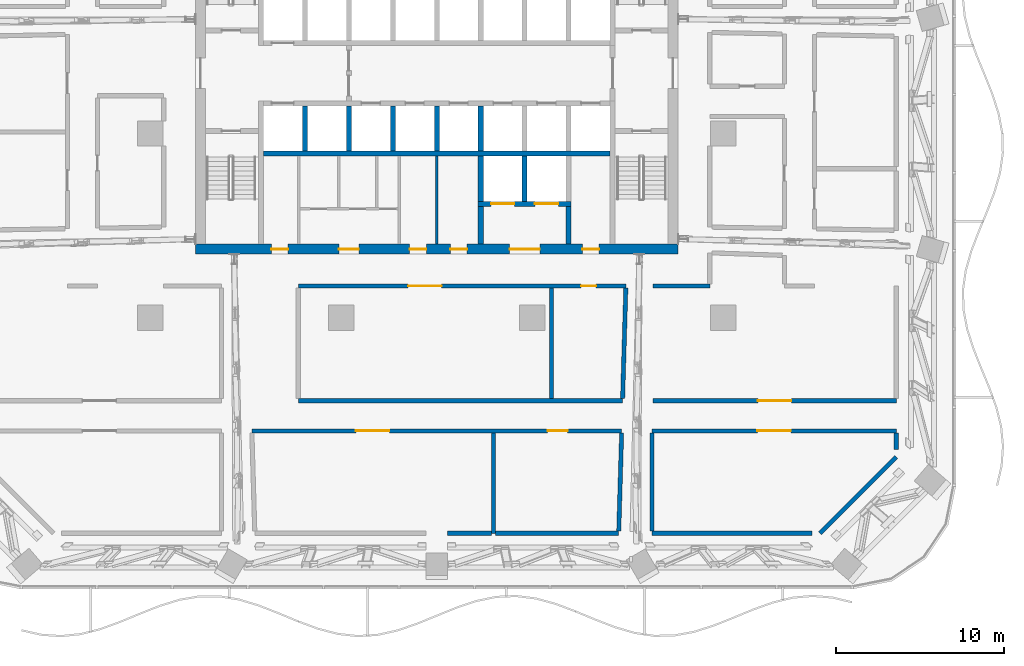
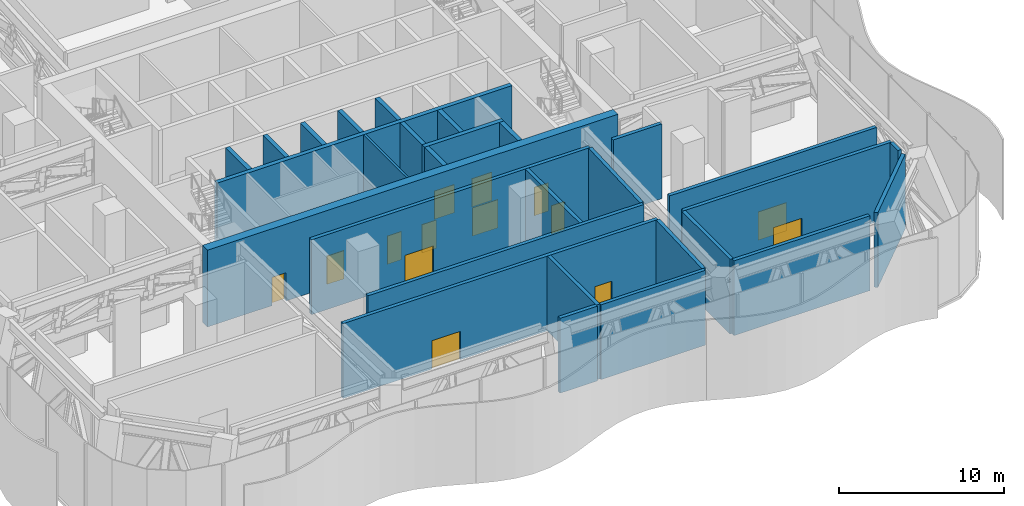
# One storey, part 11 of 32: 29 walls, 14 doors, 14 openings.
"""IFC4 building model written with IfcOpenShell, lengths in metres."""

from ifc_helpers import new_model, si_unit, direction, frame, frame_2d, origin, place, context, subcontext, project, spatial, rectangle, extrude, material, layer, layer_set, type_object, element, fill, save


model = new_model("IFC4")

# Units and contexts
model_context = context("Model", 3, precision=1e-05, world=origin(), true_north=direction((0.0, 1.0)))
body_context = subcontext(model_context, "Body", "Model", "MODEL_VIEW")
ifc_project = project(units=[si_unit("LENGTHUNIT", "METRE"), si_unit("AREAUNIT", "SQUARE_METRE"), si_unit("VOLUMEUNIT", "CUBIC_METRE"), si_unit("PLANEANGLEUNIT", "RADIAN"), si_unit("MASSUNIT", "GRAM", prefix="KILO")], contexts=[model_context])

# Site, building, storey
site_placement = place(None, origin())
site = spatial("IfcSite", under=ifc_project, at=site_placement, CompositionType="ELEMENT")
building_placement = place(site_placement, origin())
building = spatial("IfcBuilding", under=site, at=building_placement, Name="Mopane Tessera Tower", CompositionType="ELEMENT")
storey_placement = place(building_placement, frame((0.0, 0.0, 88.60009765625)))
storey = spatial("IfcBuildingStorey", under=building, at=storey_placement, Name="L17", CompositionType="ELEMENT", Elevation=88.60009765625)

# Wall
ifc_material_1 = material(Name="Fire-rated gypsum board partition")
ifc_layer_1 = layer(ifc_material_1, 0.14990234375)
ifc_layer_set_1 = layer_set([ifc_layer_1], Name="Fire-rated gypsum board partition")
wall_type_1 = type_object("IfcWallType", Name="Core room partition 150 mm", PredefinedType="PARTITIONING", material=ifc_layer_set_1)
wall_1_placement = place(storey_placement, frame((0.0, -6.60009765625, 0.0), z_axis=(0.0, 0.0, 1.0), x_axis=(0.0, 1.0, 0.0)))
element("IfcWall", 1, at=wall_1_placement, inside=storey, type_object=wall_type_1, Name="L17 Room partition", PredefinedType="PARTITIONING", context=body_context, shape_type="SweptSolid", body=[
    extrude(rectangle(XDim=5.25, YDim=0.14990234375, at=frame_2d((2.625, 0.0))), origin(), (0.0, 0.0, 1.0), 5.699951171875),
])

# Wall, openings, doors
ifc_material_2 = material(Name="Concrete C70/85", Category="concrete")
ifc_layer_2 = layer(ifc_material_2, 0.60009765625)
ifc_layer_set_2 = layer_set([ifc_layer_2], Name="Concrete C70/85")
wall_type_2 = type_object("IfcWallType", Name="Core shear wall 600 mm", PredefinedType="SHEAR", material=ifc_layer_set_2)
wall_2_placement = place(storey_placement, frame((-14.39990234375, -6.89990234375, 0.0), z_axis=(0.0, 0.0, 1.0), x_axis=(1.0, 0.0, 0.0)))
wall_2 = element("IfcWall", 2, at=wall_2_placement, inside=storey, type_object=wall_type_2, Name="L17 Core wall south", PredefinedType="SHEAR", context=body_context, shape_type="SweptSolid", body=[
    extrude(rectangle(XDim=28.7998046875, YDim=0.60009765625, at=frame_2d((14.39990234375, 0.0))), origin(), (0.0, 0.0, 1.0), 5.699951171875),
])
opening_1_placement = place(wall_2_placement, frame((4.52490234375, 0.0, 0.0)))
opening_1 = element("IfcOpeningElement", 3, at=opening_1_placement, cuts=wall_2, Name="Opening RD1", PredefinedType="OPENING", context=body_context, shape_type="SweptSolid", body=[
    extrude(rectangle(XDim=1.0, YDim=2.10009765625, at=frame_2d((0.5, 1.050048828125))), frame((0.0, 0.31201171875, 0.0), z_axis=(0.0, -1.0, 0.0), x_axis=(1.0, 0.0, 0.0)), (0.0, 0.0, 1.0), 0.6240234375),
])
opening_2_placement = place(wall_2_placement, frame((8.550048828125, 0.0, 0.0)))
opening_2 = element("IfcOpeningElement", 4, at=opening_2_placement, cuts=wall_2, Name="Opening WD3", PredefinedType="OPENING", context=body_context, shape_type="SweptSolid", body=[
    extrude(rectangle(XDim=1.199951171875, YDim=2.10009765625, at=frame_2d((0.60009765625, 1.050048828125))), frame((0.0, 0.31201171875, 0.0), z_axis=(0.0, -1.0, 0.0), x_axis=(1.0, 0.0, 0.0)), (0.0, 0.0, 1.0), 0.6240234375),
])
opening_3_placement = place(wall_2_placement, frame((12.77490234375, 0.0, 0.0)))
opening_3 = element("IfcOpeningElement", 5, at=opening_3_placement, cuts=wall_2, Name="Opening RD1", PredefinedType="OPENING", context=body_context, shape_type="SweptSolid", body=[
    extrude(rectangle(XDim=1.0, YDim=2.10009765625, at=frame_2d((0.5, 1.050048828125))), frame((0.0, 0.31201171875, 0.0), z_axis=(0.0, -1.0, 0.0), x_axis=(1.0, 0.0, 0.0)), (0.0, 0.0, 1.0), 0.6240234375),
])
opening_4_placement = place(wall_2_placement, frame((15.21240234375, 0.0, 0.0)))
opening_4 = element("IfcOpeningElement", 6, at=opening_4_placement, cuts=wall_2, Name="Opening RD1", PredefinedType="OPENING", context=body_context, shape_type="SweptSolid", body=[
    extrude(rectangle(XDim=1.0, YDim=2.10009765625, at=frame_2d((0.5, 1.050048828125))), frame((0.0, 0.31201171875, 0.0), z_axis=(0.0, -1.0, 0.0), x_axis=(1.0, 0.0, 0.0)), (0.0, 0.0, 1.0), 0.6240234375),
])
opening_5_placement = place(wall_2_placement, frame((18.75, 0.0, 0.0)))
opening_5 = element("IfcOpeningElement", 7, at=opening_5_placement, cuts=wall_2, Name="Opening SD2", PredefinedType="OPENING", context=body_context, shape_type="SweptSolid", body=[
    extrude(rectangle(XDim=1.800048828125, YDim=2.10009765625, at=frame_2d((0.89990234375, 1.050048828125))), frame((0.0, 0.31201171875, 0.0), z_axis=(0.0, -1.0, 0.0), x_axis=(1.0, 0.0, 0.0)), (0.0, 0.0, 1.0), 0.6240234375),
])
opening_6_placement = place(wall_2_placement, frame((23.08740234375, 0.0, 0.0)))
opening_6 = element("IfcOpeningElement", 8, at=opening_6_placement, cuts=wall_2, Name="Opening RD1", PredefinedType="OPENING", context=body_context, shape_type="SweptSolid", body=[
    extrude(rectangle(XDim=1.0, YDim=2.10009765625, at=frame_2d((0.5, 1.050048828125))), frame((0.0, 0.31201171875, 0.0), z_axis=(0.0, -1.0, 0.0), x_axis=(1.0, 0.0, 0.0)), (0.0, 0.0, 1.0), 0.6240234375),
])
ifc_material_3 = material(Name="Steel fire door", Category="steel")
door_type_1 = type_object("IfcDoorType", Name="Core entrance double door 1800 x 2100", OperationType="DOUBLE_DOOR_SINGLE_SWING", PredefinedType="DOOR", material=ifc_material_3)
door_1_placement = place(opening_5_placement, origin())
door_1 = element("IfcDoor", 9, at=door_1_placement, inside=storey, type_object=door_type_1, Name="L17 Service lobby door", OperationType="DOUBLE_DOOR_SINGLE_SWING", OverallHeight=2.10009765625, OverallWidth=1.800048828125, PredefinedType="DOOR", context=body_context, shape_type="SweptSolid", body=[
    extrude(rectangle(XDim=1.800048828125, YDim=2.10009765625, at=frame_2d((0.89990234375, 1.050048828125))), frame((0.0, 0.02490234375, 0.0), z_axis=(0.0, -1.0, 0.0), x_axis=(1.0, 0.0, 0.0)), (0.0, 0.0, 1.0), 0.050048828125),
])
fill(opening_5, door_1)
ifc_material_4 = material(Name="Timber door", Category="wood")
door_type_2 = type_object("IfcDoorType", Name="Core room door 1000 x 2100", OperationType="SINGLE_SWING_LEFT", PredefinedType="DOOR", material=ifc_material_4)
door_2_placement = place(opening_1_placement, origin())
door_2 = element("IfcDoor", 10, at=door_2_placement, inside=storey, type_object=door_type_2, Name="L17 Room door", OperationType="SINGLE_SWING_LEFT", OverallHeight=2.10009765625, OverallWidth=1.0, PredefinedType="DOOR", context=body_context, shape_type="SweptSolid", body=[
    extrude(rectangle(XDim=1.0, YDim=2.10009765625, at=frame_2d((0.5, 1.050048828125))), frame((0.0, 0.02490234375, 0.0), z_axis=(0.0, -1.0, 0.0), x_axis=(1.0, 0.0, 0.0)), (0.0, 0.0, 1.0), 0.050048828125),
])
fill(opening_1, door_2)
door_3_placement = place(opening_3_placement, origin())
door_3 = element("IfcDoor", 11, at=door_3_placement, inside=storey, type_object=door_type_2, Name="L17 Room door", OperationType="SINGLE_SWING_LEFT", OverallHeight=2.10009765625, OverallWidth=1.0, PredefinedType="DOOR", context=body_context, shape_type="SweptSolid", body=[
    extrude(rectangle(XDim=1.0, YDim=2.10009765625, at=frame_2d((0.5, 1.050048828125))), frame((0.0, 0.02490234375, 0.0), z_axis=(0.0, -1.0, 0.0), x_axis=(1.0, 0.0, 0.0)), (0.0, 0.0, 1.0), 0.050048828125),
])
fill(opening_3, door_3)
door_4_placement = place(opening_4_placement, origin())
door_4 = element("IfcDoor", 12, at=door_4_placement, inside=storey, type_object=door_type_2, Name="L17 Room door", OperationType="SINGLE_SWING_LEFT", OverallHeight=2.10009765625, OverallWidth=1.0, PredefinedType="DOOR", context=body_context, shape_type="SweptSolid", body=[
    extrude(rectangle(XDim=1.0, YDim=2.10009765625, at=frame_2d((0.5, 1.050048828125))), frame((0.0, 0.02490234375, 0.0), z_axis=(0.0, -1.0, 0.0), x_axis=(1.0, 0.0, 0.0)), (0.0, 0.0, 1.0), 0.050048828125),
])
fill(opening_4, door_4)
door_5_placement = place(opening_6_placement, origin())
door_5 = element("IfcDoor", 13, at=door_5_placement, inside=storey, type_object=door_type_2, Name="L17 Room door", OperationType="SINGLE_SWING_LEFT", OverallHeight=2.10009765625, OverallWidth=1.0, PredefinedType="DOOR", context=body_context, shape_type="SweptSolid", body=[
    extrude(rectangle(XDim=1.0, YDim=2.10009765625, at=frame_2d((0.5, 1.050048828125))), frame((0.0, 0.02490234375, 0.0), z_axis=(0.0, -1.0, 0.0), x_axis=(1.0, 0.0, 0.0)), (0.0, 0.0, 1.0), 0.050048828125),
])
fill(opening_6, door_5)
ifc_material_5 = material(Name="Timber door", Category="wood")
door_type_3 = type_object("IfcDoorType", Name="WC lobby door 1200 x 2100", OperationType="SINGLE_SWING_LEFT", PredefinedType="DOOR", material=ifc_material_5)
door_6_placement = place(opening_2_placement, origin())
door_6 = element("IfcDoor", 14, at=door_6_placement, inside=storey, type_object=door_type_3, Name="L17 WC lobby door", OperationType="SINGLE_SWING_LEFT", OverallHeight=2.10009765625, OverallWidth=1.199951171875, PredefinedType="DOOR", context=body_context, shape_type="SweptSolid", body=[
    extrude(rectangle(XDim=1.199951171875, YDim=2.10009765625, at=frame_2d((0.60009765625, 1.050048828125))), frame((0.0, 0.02490234375, 0.0), z_axis=(0.0, -1.0, 0.0), x_axis=(1.0, 0.0, 0.0)), (0.0, 0.0, 1.0), 0.050048828125),
])
fill(opening_2, door_6)

# Walls
ifc_material_6 = material(Name="Concrete C50/60", Category="concrete")
ifc_layer_3 = layer(ifc_material_6, 0.300048828125)
ifc_layer_set_3 = layer_set([ifc_layer_3], Name="Concrete C50/60")
wall_type_3 = type_object("IfcWallType", Name="Lift and stair shaft wall 300 mm", PredefinedType="SOLIDWALL", material=ifc_layer_set_3)
wall_3_placement = place(storey_placement, frame((-10.35009765625, -1.199951171875, 0.0), z_axis=(0.0, 0.0, 1.0), x_axis=(1.0, 0.0, 0.0)))
element("IfcWall", 15, at=wall_3_placement, inside=storey, type_object=wall_type_3, Name="L17 Lift shaft rear wall", PredefinedType="SOLIDWALL", context=body_context, shape_type="SweptSolid", body=[
    extrude(rectangle(XDim=20.7001953125, YDim=0.300048828125, at=frame_2d((10.35009765625, 0.0))), origin(), (0.0, 0.0, 1.0), 5.699951171875),
])
for number, where, z_axis, x_axis, name in (
    (16, (-7.875, -1.050048828125, 0.0), (0.0, 0.0, 1.0), (0.0, 1.0, 0.0), "L17 Lift shaft wall"),
    (17, (-5.25, -1.050048828125, 0.0), (0.0, 0.0, 1.0), (0.0, 1.0, 0.0), "L17 Lift shaft wall"),
    (18, (-2.625, -1.050048828125, 0.0), (0.0, 0.0, 1.0), (0.0, 1.0, 0.0), "L17 Lift shaft wall"),
    (19, (0.0, -1.050048828125, 0.0), (0.0, 0.0, 1.0), (0.0, 1.0, 0.0), "L17 Lift shaft wall"),
    (20, (2.625, -1.050048828125, 0.0), (0.0, 0.0, 1.0), (0.0, 1.0, 0.0), "L17 Lift shaft wall"),
):
    element("IfcWall", number, at=place(storey_placement, frame(where, z_axis=z_axis, x_axis=x_axis)), inside=storey, type_object=wall_type_3, Name=name, PredefinedType="SOLIDWALL", context=body_context, shape_type="SweptSolid", body=[
        extrude(rectangle(XDim=2.699951171875, YDim=0.300048828125, at=frame_2d((1.35009765625, 0.0))), origin(), (0.0, 0.0, 1.0), 5.699951171875),
    ])

# Wall, openings, doors
wall_4_placement = place(storey_placement, frame((2.47509765625, -4.199951171875, 0.0), z_axis=(0.0, 0.0, 1.0), x_axis=(1.0, 0.0, 0.0)))
wall_4 = element("IfcWall", 21, at=wall_4_placement, inside=storey, type_object=wall_type_3, Name="L17 Lift shaft front wall", PredefinedType="SOLIDWALL", context=body_context, shape_type="SweptSolid", body=[
    extrude(rectangle(XDim=5.5498046875, YDim=0.300048828125, at=frame_2d((2.77490234375, 0.0))), origin(), (0.0, 0.0, 1.0), 5.699951171875),
])
opening_7_placement = place(wall_4_placement, frame((0.762451171875, 0.0, 0.0)))
opening_7 = element("IfcOpeningElement", 22, at=opening_7_placement, cuts=wall_4, Name="Opening LD3", PredefinedType="OPENING", context=body_context, shape_type="SweptSolid", body=[
    extrude(rectangle(XDim=1.39990234375, YDim=2.10009765625, at=frame_2d((0.699951171875, 1.050048828125))), frame((0.0, 0.162109375, 0.0), z_axis=(0.0, -1.0, 0.0), x_axis=(1.0, 0.0, 0.0)), (0.0, 0.0, 1.0), 0.323974609375),
])
opening_8_placement = place(wall_4_placement, frame((3.387451171875, 0.0, 0.0)))
opening_8 = element("IfcOpeningElement", 23, at=opening_8_placement, cuts=wall_4, Name="Opening LD3", PredefinedType="OPENING", context=body_context, shape_type="SweptSolid", body=[
    extrude(rectangle(XDim=1.39990234375, YDim=2.10009765625, at=frame_2d((0.699951171875, 1.050048828125))), frame((0.0, 0.162109375, 0.0), z_axis=(0.0, -1.0, 0.0), x_axis=(1.0, 0.0, 0.0)), (0.0, 0.0, 1.0), 0.323974609375),
])
ifc_material_7 = material(Name="Stainless steel sliding door", Category="steel")
door_type_4 = type_object("IfcDoorType", Name="Service lift landing door 1400 x 2100", OperationType="DOUBLE_DOOR_SLIDING", PredefinedType="DOOR", material=ifc_material_7)
door_7_placement = place(opening_7_placement, origin())
door_7 = element("IfcDoor", 24, at=door_7_placement, inside=storey, type_object=door_type_4, Name="L17 Lift landing door SV1", OperationType="DOUBLE_DOOR_SLIDING", OverallHeight=2.10009765625, OverallWidth=1.39990234375, PredefinedType="DOOR", context=body_context, shape_type="SweptSolid", body=[
    extrude(rectangle(XDim=1.39990234375, YDim=2.10009765625, at=frame_2d((0.699951171875, 1.050048828125))), frame((0.0, 0.02490234375, 0.0), z_axis=(0.0, -1.0, 0.0), x_axis=(1.0, 0.0, 0.0)), (0.0, 0.0, 1.0), 0.050048828125),
])
fill(opening_7, door_7)
door_8_placement = place(opening_8_placement, origin())
door_8 = element("IfcDoor", 25, at=door_8_placement, inside=storey, type_object=door_type_4, Name="L17 Lift landing door SV2", OperationType="DOUBLE_DOOR_SLIDING", OverallHeight=2.10009765625, OverallWidth=1.39990234375, PredefinedType="DOOR", context=body_context, shape_type="SweptSolid", body=[
    extrude(rectangle(XDim=1.39990234375, YDim=2.10009765625, at=frame_2d((0.699951171875, 1.050048828125))), frame((0.0, 0.02490234375, 0.0), z_axis=(0.0, -1.0, 0.0), x_axis=(1.0, 0.0, 0.0)), (0.0, 0.0, 1.0), 0.050048828125),
])
fill(opening_8, door_8)

# Walls
for number, where, z_axis, x_axis, name in (
    (26, (2.625, -4.050048828125, 0.0), (0.0, 0.0, 1.0), (0.0, 1.0, 0.0), "L17 Lift shaft wall"),
    (27, (5.25, -4.050048828125, 0.0), (0.0, 0.0, 1.0), (0.0, 1.0, 0.0), "L17 Lift shaft wall"),
):
    element("IfcWall", number, at=place(storey_placement, frame(where, z_axis=z_axis, x_axis=x_axis)), inside=storey, type_object=wall_type_3, Name=name, PredefinedType="SOLIDWALL", context=body_context, shape_type="SweptSolid", body=[
        extrude(rectangle(XDim=2.699951171875, YDim=0.300048828125, at=frame_2d((1.35009765625, 0.0))), origin(), (0.0, 0.0, 1.0), 5.699951171875),
    ])
ifc_material_8 = material(Name="Concrete C50/60", Category="concrete")
ifc_layer_4 = layer(ifc_material_8, 0.300048828125)
ifc_layer_set_4 = layer_set([ifc_layer_4], Name="Concrete C50/60")
wall_type_4 = type_object("IfcWallType", Name="Lobby and refuge room wall 300 mm", PredefinedType="SOLIDWALL", material=ifc_layer_set_4)
for number, where, z_axis, x_axis, name in (
    (28, (2.625, -6.60009765625, 0.0), (0.0, 0.0, 1.0), (0.0, 1.0, 0.0), "L17 Service lobby wall"),
    (29, (7.875, -6.60009765625, 0.0), (0.0, 0.0, 1.0), (0.0, 1.0, 0.0), "L17 Service lobby wall"),
):
    element("IfcWall", number, at=place(storey_placement, frame(where, z_axis=z_axis, x_axis=x_axis)), inside=storey, type_object=wall_type_4, Name=name, PredefinedType="SOLIDWALL", context=body_context, shape_type="SweptSolid", body=[
        extrude(rectangle(XDim=2.25, YDim=0.300048828125, at=frame_2d((1.125, 0.0))), origin(), (0.0, 0.0, 1.0), 5.699951171875),
    ])
ifc_material_9 = material(Name="Plastered concrete blockwork C20/25", Category="masonry")
ifc_layer_5 = layer(ifc_material_9, 0.25)
ifc_layer_set_5 = layer_set([ifc_layer_5], Name="Plastered concrete blockwork C20/25")
wall_type_5 = type_object("IfcWallType", Name="Plastered blockwork wall 250, rated EI 120", PredefinedType="PARTITIONING", material=ifc_layer_set_5)
wall_5_placement = place(storey_placement, frame((0.64990234375, -23.860107421875, 0.0), z_axis=(0.0, 0.0, 1.0), x_axis=(1.0, 0.0, 0.0)))
element("IfcWall", 30, at=wall_5_placement, inside=storey, type_object=wall_type_5, Name="Partition L17:002", PredefinedType="PARTITIONING", context=body_context, shape_type="SweptSolid", body=[
    extrude(rectangle(XDim=2.6201171875, YDim=0.25, at=frame_2d((1.31005859375, 0.0))), origin(), (0.0, 0.0, 1.0), 5.5498046875),
])
wall_6_placement = place(storey_placement, frame((3.52001953125, -23.860107421875, 0.0), z_axis=(0.0, 0.0, 1.0), x_axis=(1.0, 0.0, 0.0)))
element("IfcWall", 31, at=wall_6_placement, inside=storey, type_object=wall_type_5, Name="Partition L17:003", PredefinedType="PARTITIONING", context=body_context, shape_type="SweptSolid", body=[
    extrude(rectangle(XDim=7.340087890625, YDim=0.25, at=frame_2d((3.669921875, 0.0))), origin(), (0.0, 0.0, 1.0), 5.5498046875),
])
wall_7_placement = place(storey_placement, frame((12.844970703125, -23.860107421875, 0.0), z_axis=(0.0, 0.0, 1.0), x_axis=(1.0, 0.0, 0.0)))
element("IfcWall", 32, at=wall_7_placement, inside=storey, type_object=wall_type_5, Name="Partition L17:004", PredefinedType="PARTITIONING", context=body_context, shape_type="SweptSolid", body=[
    extrude(rectangle(XDim=9.554931640625, YDim=0.25, at=frame_2d((4.77734375, 0.0))), origin(), (0.0, 0.0, 1.0), 5.5498046875),
])

# Wall, openings, doors
wall_8_placement = place(storey_placement, frame((-11.0400390625, -17.75, 0.0), z_axis=(0.0, 0.0, 1.0), x_axis=(1.0, 0.0, 0.0)))
wall_8 = element("IfcWall", 33, at=wall_8_placement, inside=storey, type_object=wall_type_5, Name="Partition L17:006", PredefinedType="PARTITIONING", context=body_context, shape_type="SweptSolid", body=[
    extrude(rectangle(XDim=22.080078125, YDim=0.25, at=frame_2d((11.0400390625, 0.0))), origin(), (0.0, 0.0, 1.0), 5.5498046875),
])
opening_9_placement = place(wall_8_placement, frame((17.657470703125, 0.0, 0.0)))
opening_9 = element("IfcOpeningElement", 34, at=opening_9_placement, cuts=wall_8, Name="Opening L17-03", PredefinedType="OPENING", context=body_context, shape_type="SweptSolid", body=[
    extrude(rectangle(XDim=1.199951171875, YDim=2.10009765625, at=frame_2d((0.60009765625, 1.050048828125))), frame((0.0, 0.136962890625, 0.0), z_axis=(0.0, -1.0, 0.0), x_axis=(1.0, 0.0, 0.0)), (0.0, 0.0, 1.0), 0.27392578125),
])
opening_10_placement = place(wall_8_placement, frame((6.217529296875, 0.0, 0.0)))
opening_10 = element("IfcOpeningElement", 35, at=opening_10_placement, cuts=wall_8, Name="Opening L17-17", PredefinedType="OPENING", context=body_context, shape_type="SweptSolid", body=[
    extrude(rectangle(XDim=2.0, YDim=2.10009765625, at=frame_2d((1.0, 1.050048828125))), frame((0.0, 0.136962890625, 0.0), z_axis=(0.0, -1.0, 0.0), x_axis=(1.0, 0.0, 0.0)), (0.0, 0.0, 1.0), 0.27392578125),
])
ifc_material_10 = material(Name="Timber veneered steel-framed fire door", Category="steel")
door_type_5 = type_object("IfcDoorType", Name="Fire door FD120 1200 x 2100", OperationType="SINGLE_SWING_LEFT", PredefinedType="DOOR", material=ifc_material_10)
door_9_placement = place(opening_9_placement, origin())
door_9 = element("IfcDoor", 36, at=door_9_placement, inside=storey, type_object=door_type_5, Name="Door L17-03", ObjectType="D15B", OperationType="SINGLE_SWING_RIGHT", OverallHeight=2.10009765625, OverallWidth=1.199951171875, PredefinedType="DOOR", context=body_context, shape_type="SweptSolid", body=[
    extrude(rectangle(XDim=1.199951171875, YDim=2.10009765625, at=frame_2d((0.60009765625, 1.050048828125))), frame((0.0, 0.02490234375, 0.0), z_axis=(0.0, -1.0, 0.0), x_axis=(1.0, 0.0, 0.0)), (0.0, 0.0, 1.0), 0.050048828125),
])
fill(opening_9, door_9)
ifc_material_11 = material(Name="Timber veneered steel-framed fire door", Category="steel")
door_type_6 = type_object("IfcDoorType", Name="Fire door pair FD120 2000 x 2100", OperationType="DOUBLE_DOOR_SINGLE_SWING", PredefinedType="DOOR", material=ifc_material_11)
door_10_placement = place(opening_10_placement, origin())
door_10 = element("IfcDoor", 37, at=door_10_placement, inside=storey, type_object=door_type_6, Name="Door L17-17", ObjectType="D25B", OperationType="DOUBLE_DOOR_SINGLE_SWING", OverallHeight=2.10009765625, OverallWidth=2.0, PredefinedType="DOOR", context=body_context, shape_type="SweptSolid", body=[
    extrude(rectangle(XDim=2.0, YDim=2.10009765625, at=frame_2d((1.0, 1.050048828125))), frame((0.0, 0.02490234375, 0.0), z_axis=(0.0, -1.0, 0.0), x_axis=(1.0, 0.0, 0.0)), (0.0, 0.0, 1.0), 0.050048828125),
])
fill(opening_10, door_10)

# Wall, opening, door
wall_9_placement = place(storey_placement, frame((12.844970703125, -17.75, 0.0), z_axis=(0.0, 0.0, 1.0), x_axis=(1.0, 0.0, 0.0)))
wall_9 = element("IfcWall", 38, at=wall_9_placement, inside=storey, type_object=wall_type_5, Name="Partition L17:007", PredefinedType="PARTITIONING", context=body_context, shape_type="SweptSolid", body=[
    extrude(rectangle(XDim=14.5849609375, YDim=0.25, at=frame_2d((7.29248046875, 0.0))), origin(), (0.0, 0.0, 1.0), 5.5498046875),
])
opening_11_placement = place(wall_9_placement, frame((6.29248046875, 0.0, 0.0)))
opening_11 = element("IfcOpeningElement", 39, at=opening_11_placement, cuts=wall_9, Name="Opening L17-04", PredefinedType="OPENING", context=body_context, shape_type="SweptSolid", body=[
    extrude(rectangle(XDim=2.0, YDim=2.10009765625, at=frame_2d((1.0, 1.050048828125))), frame((0.0, 0.136962890625, 0.0), z_axis=(0.0, -1.0, 0.0), x_axis=(1.0, 0.0, 0.0)), (0.0, 0.0, 1.0), 0.27392578125),
])
door_11_placement = place(opening_11_placement, origin())
door_11 = element("IfcDoor", 40, at=door_11_placement, inside=storey, type_object=door_type_6, Name="Door L17-04", ObjectType="D25B", OperationType="DOUBLE_DOOR_SINGLE_SWING", OverallHeight=2.10009765625, OverallWidth=2.0, PredefinedType="DOOR", context=body_context, shape_type="SweptSolid", body=[
    extrude(rectangle(XDim=2.0, YDim=2.10009765625, at=frame_2d((1.0, 1.050048828125))), frame((0.0, 0.02490234375, 0.0), z_axis=(0.0, -1.0, 0.0), x_axis=(1.0, 0.0, 0.0)), (0.0, 0.0, 1.0), 0.050048828125),
])
fill(opening_11, door_11)

# Wall
wall_10_placement = place(storey_placement, frame((-8.264892578125, -15.949951171875, 0.0), z_axis=(0.0, 0.0, 1.0), x_axis=(1.0, 0.0, 0.0)))
element("IfcWall", 41, at=wall_10_placement, inside=storey, type_object=wall_type_5, Name="Partition L17:009", PredefinedType="PARTITIONING", context=body_context, shape_type="SweptSolid", body=[
    extrude(rectangle(XDim=19.35498046875, YDim=0.25, at=frame_2d((9.677490234375, 0.0))), origin(), (0.0, 0.0, 1.0), 5.5498046875),
])

# Wall, opening, door
wall_11_placement = place(storey_placement, frame((12.905029296875, -15.949951171875, 0.0), z_axis=(0.0, 0.0, 1.0), x_axis=(1.0, 0.0, 0.0)))
wall_11 = element("IfcWall", 42, at=wall_11_placement, inside=storey, type_object=wall_type_5, Name="Partition L17:010", PredefinedType="PARTITIONING", context=body_context, shape_type="SweptSolid", body=[
    extrude(rectangle(XDim=14.52490234375, YDim=0.25, at=frame_2d((7.262451171875, 0.0))), origin(), (0.0, 0.0, 1.0), 5.5498046875),
])
opening_12_placement = place(wall_11_placement, frame((6.262451171875, 0.0, 0.0)))
opening_12 = element("IfcOpeningElement", 43, at=opening_12_placement, cuts=wall_11, Name="Opening L17-23", PredefinedType="OPENING", context=body_context, shape_type="SweptSolid", body=[
    extrude(rectangle(XDim=2.0, YDim=2.10009765625, at=frame_2d((1.0, 1.050048828125))), frame((0.0, 0.136962890625, 0.0), z_axis=(0.0, -1.0, 0.0), x_axis=(1.0, 0.0, 0.0)), (0.0, 0.0, 1.0), 0.27392578125),
])
door_12_placement = place(opening_12_placement, origin())
door_12 = element("IfcDoor", 44, at=door_12_placement, inside=storey, type_object=door_type_6, Name="Door L17-23", ObjectType="D25B", OperationType="DOUBLE_DOOR_SINGLE_SWING", OverallHeight=2.10009765625, OverallWidth=2.0, PredefinedType="DOOR", context=body_context, shape_type="SweptSolid", body=[
    extrude(rectangle(XDim=2.0, YDim=2.10009765625, at=frame_2d((1.0, 1.050048828125))), frame((0.0, 0.02490234375, 0.0), z_axis=(0.0, -1.0, 0.0), x_axis=(1.0, 0.0, 0.0)), (0.0, 0.0, 1.0), 0.050048828125),
])
fill(opening_12, door_12)

# Wall, openings, doors
wall_12_placement = place(storey_placement, frame((-8.264892578125, -9.10009765625, 0.0), z_axis=(0.0, 0.0, 1.0), x_axis=(1.0, 0.0, 0.0)))
wall_12 = element("IfcWall", 45, at=wall_12_placement, inside=storey, type_object=wall_type_5, Name="Partition L17:013", PredefinedType="PARTITIONING", context=body_context, shape_type="SweptSolid", body=[
    extrude(rectangle(XDim=19.554931640625, YDim=0.25, at=frame_2d((9.77734375, 0.0))), origin(), (0.0, 0.0, 1.0), 5.5498046875),
])
opening_13_placement = place(wall_12_placement, frame((6.5576171875, 0.0, 0.0)))
opening_13 = element("IfcOpeningElement", 46, at=opening_13_placement, cuts=wall_12, Name="Opening L17-13", PredefinedType="OPENING", context=body_context, shape_type="SweptSolid", body=[
    extrude(rectangle(XDim=2.0, YDim=2.10009765625, at=frame_2d((1.0, 1.050048828125))), frame((0.0, 0.136962890625, 0.0), z_axis=(0.0, -1.0, 0.0), x_axis=(1.0, 0.0, 0.0)), (0.0, 0.0, 1.0), 0.27392578125),
])
opening_14_placement = place(wall_12_placement, frame((16.885009765625, 0.0, 0.0)))
opening_14 = element("IfcOpeningElement", 47, at=opening_14_placement, cuts=wall_12, Name="Opening L17-19", PredefinedType="OPENING", context=body_context, shape_type="SweptSolid", body=[
    extrude(rectangle(XDim=0.89990234375, YDim=2.10009765625, at=frame_2d((0.449951171875, 1.050048828125))), frame((0.0, 0.136962890625, 0.0), z_axis=(0.0, -1.0, 0.0), x_axis=(1.0, 0.0, 0.0)), (0.0, 0.0, 1.0), 0.27392578125),
])
ifc_material_12 = material(Name="Timber veneered steel-framed fire door", Category="steel")
door_type_7 = type_object("IfcDoorType", Name="Fire door FD120 900 x 2100", OperationType="SINGLE_SWING_LEFT", PredefinedType="DOOR", material=ifc_material_12)
door_13_placement = place(opening_14_placement, origin())
door_13 = element("IfcDoor", 48, at=door_13_placement, inside=storey, type_object=door_type_7, Name="Door L17-19", ObjectType="D10B", OperationType="SINGLE_SWING_RIGHT", OverallHeight=2.10009765625, OverallWidth=0.89990234375, PredefinedType="DOOR", context=body_context, shape_type="SweptSolid", body=[
    extrude(rectangle(XDim=0.89990234375, YDim=2.10009765625, at=frame_2d((0.449951171875, 1.050048828125))), frame((0.0, 0.02490234375, 0.0), z_axis=(0.0, -1.0, 0.0), x_axis=(1.0, 0.0, 0.0)), (0.0, 0.0, 1.0), 0.050048828125),
])
fill(opening_14, door_13)
door_14_placement = place(opening_13_placement, origin())
door_14 = element("IfcDoor", 49, at=door_14_placement, inside=storey, type_object=door_type_6, Name="Door L17-13", ObjectType="D25B", OperationType="DOUBLE_DOOR_SINGLE_SWING", OverallHeight=2.10009765625, OverallWidth=2.0, PredefinedType="DOOR", context=body_context, shape_type="SweptSolid", body=[
    extrude(rectangle(XDim=2.0, YDim=2.10009765625, at=frame_2d((1.0, 1.050048828125))), frame((0.0, 0.02490234375, 0.0), z_axis=(0.0, -1.0, 0.0), x_axis=(1.0, 0.0, 0.0)), (0.0, 0.0, 1.0), 0.050048828125),
])
fill(opening_13, door_14)

# Walls
wall_13_placement = place(storey_placement, frame((12.905029296875, -9.10009765625, 0.0), z_axis=(0.0, 0.0, 1.0), x_axis=(1.0, 0.0, 0.0)))
element("IfcWall", 50, at=wall_13_placement, inside=storey, type_object=wall_type_5, Name="Partition L17:014", PredefinedType="PARTITIONING", context=body_context, shape_type="SweptSolid", body=[
    extrude(rectangle(XDim=3.39501953125, YDim=0.25, at=frame_2d((1.697509765625, 0.0))), origin(), (0.0, 0.0, 1.0), 5.5498046875),
])
wall_14_placement = place(storey_placement, frame((3.39501953125, -23.860107421875, 0.0), z_axis=(0.0, 0.0, 1.0), x_axis=(0.0, 1.0, 0.0)))
element("IfcWall", 51, at=wall_14_placement, inside=storey, type_object=wall_type_5, Name="Partition L17:052", PredefinedType="PARTITIONING", context=body_context, shape_type="SweptSolid", body=[
    extrude(rectangle(XDim=5.985107421875, YDim=0.25, at=frame_2d((2.99267578125, 0.0))), origin(), (0.0, 0.0, 1.0), 5.5498046875),
])
wall_15_placement = place(storey_placement, frame((6.85009765625, -15.824951171875, 0.0), z_axis=(0.0, 0.0, 1.0), x_axis=(0.0, 1.0, 0.0)))
element("IfcWall", 52, at=wall_15_placement, inside=storey, type_object=wall_type_5, Name="Partition L17:053", PredefinedType="PARTITIONING", context=body_context, shape_type="SweptSolid", body=[
    extrude(rectangle(XDim=6.599853515625, YDim=0.25, at=frame_2d((3.2998046875, 0.0))), origin(), (0.0, 0.0, 1.0), 5.5498046875),
])
wall_16_placement = place(storey_placement, frame((12.844970703125, -23.735107421875, 0.0), z_axis=(0.0, 0.0, 1.0), x_axis=(0.0, 1.0, 0.0)))
element("IfcWall", 53, at=wall_16_placement, inside=storey, type_object=wall_type_5, Name="Partition L17:054", PredefinedType="PARTITIONING", context=body_context, shape_type="SweptSolid", body=[
    extrude(rectangle(XDim=5.860107421875, YDim=0.25, at=frame_2d((2.93017578125, 0.0))), origin(), (0.0, 0.0, 1.0), 5.5498046875),
])
wall_17_placement = place(storey_placement, frame((27.429931640625, -18.85009765625, 0.0), z_axis=(0.0, 0.0, 1.0), x_axis=(0.0, 1.0, 0.0)))
element("IfcWall", 54, at=wall_17_placement, inside=storey, type_object=wall_type_5, Name="Partition L17:067", PredefinedType="PARTITIONING", context=body_context, shape_type="SweptSolid", body=[
    extrude(rectangle(XDim=0.97509765625, YDim=0.25, at=frame_2d((0.487548828125, 0.0))), origin(), (0.0, 0.0, 1.0), 5.5498046875),
])
wall_18_placement = place(storey_placement, frame((11.035888671875, -17.8798828125, 0.0), z_axis=(0.0, 0.0, 1.0), x_axis=(-0.029367179648, -0.999568691366, 0.0)))
element("IfcWall", 55, at=wall_18_placement, inside=storey, type_object=wall_type_5, Name="Partition L17:074", PredefinedType="PARTITIONING", context=body_context, shape_type="SweptSolid", body=[
    extrude(rectangle(XDim=5.8525390625, YDim=0.25, at=frame_2d((2.92626953125, 0.0))), origin(), (0.0, 0.0, 1.0), 5.5498046875),
])
wall_19_placement = place(storey_placement, frame((27.429931640625, -19.300048828125, 0.0), z_axis=(0.0, 0.0, 1.0), x_axis=(-0.707087851559, -0.707125710308, 0.0)))
element("IfcWall", 56, at=wall_19_placement, inside=storey, type_object=wall_type_5, Name="Partition L17:075", PredefinedType="PARTITIONING", context=body_context, shape_type="SweptSolid", body=[
    extrude(rectangle(XDim=6.44873046875, YDim=0.25, at=frame_2d((3.224365234375, 0.0))), origin(), (0.0, 0.0, 1.0), 5.5498046875),
])
wall_20_placement = place(storey_placement, frame((11.285888671875, -9.22998046875, 0.0), z_axis=(0.0, 0.0, 1.0), x_axis=(-0.029106323435, -0.999576321216, 0.0)))
element("IfcWall", 57, at=wall_20_placement, inside=storey, type_object=wall_type_5, Name="Partition L17:086", PredefinedType="PARTITIONING", context=body_context, shape_type="SweptSolid", body=[
    extrude(rectangle(XDim=6.5927734375, YDim=0.25, at=frame_2d((3.29638671875, 0.0))), origin(), (0.0, 0.0, 1.0), 5.5498046875),
])

save(model, "model.ifc")
